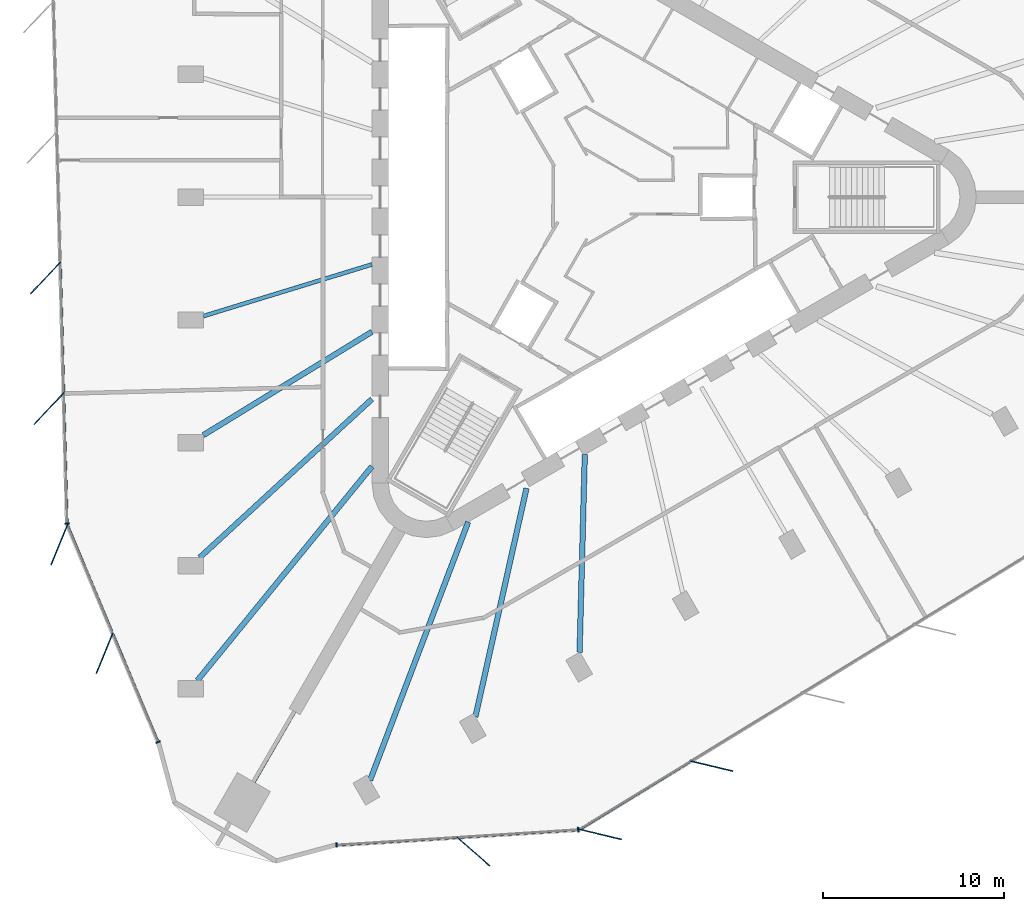
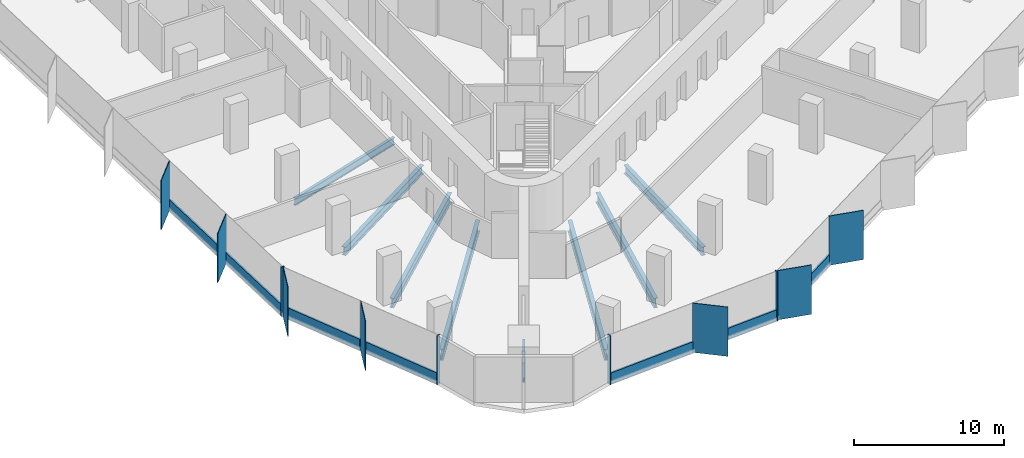
# One storey, part 2 of 14: 18 members, 8 beams, 4 elements without a shape of their own.
"""IFC4 building model written with IfcOpenShell, lengths in metres."""

from ifc_helpers import new_model, si_unit, direction, frame, origin, origin_2d, place, context, subcontext, project, spatial, rectangle, i_section, extrude, material, material_profile, profile_set, type_object, element, aggregate, save


model = new_model("IFC4")

# Units and contexts
model_context = context("Model", 3, precision=1e-05, world=origin(), true_north=direction((0.0, 1.0)))
body_context = subcontext(model_context, "Body", "Model", "MODEL_VIEW")
ifc_project = project(units=[si_unit("LENGTHUNIT", "METRE"), si_unit("AREAUNIT", "SQUARE_METRE"), si_unit("VOLUMEUNIT", "CUBIC_METRE"), si_unit("PLANEANGLEUNIT", "RADIAN"), si_unit("MASSUNIT", "GRAM", prefix="KILO")], contexts=[model_context])

# Site, building, storey
site_placement = place(None, origin())
site = spatial("IfcSite", under=ifc_project, at=site_placement, CompositionType="ELEMENT")
building_placement = place(site_placement, origin())
building = spatial("IfcBuilding", under=site, at=building_placement, Name="Tanit Gate Tower", CompositionType="ELEMENT")
storey_placement = place(building_placement, frame((0.0, 0.0, 221.199951171875)))
storey = spatial("IfcBuildingStorey", under=building, at=storey_placement, Name="L49", CompositionType="ELEMENT", Elevation=221.199951171875)

# Curtain wall, members
ifc_material_1 = material(Name="Aluminium bronze anodised and glass", Category="aluminium")
curtain_wall_type = type_object("IfcCurtainWallType", Name="Curtain wall typical mid", PredefinedType="NOTDEFINED", material=ifc_material_1)
curtain_wall_1_placement = place(storey_placement, origin())
curtain_wall_1 = element("IfcCurtainWall", 1, at=curtain_wall_1_placement, inside=storey, type_object=curtain_wall_type, Name="Curtain wall L49 W2", PredefinedType="NOTDEFINED")
ifc_material_2 = material(Name="Aluminium bronze anodised", Category="aluminium")
ifc_material_profile_1 = material_profile(ifc_material_2, rectangle(XDim=2.39990234375, YDim=0.055908203125, at=origin_2d()), Name="56x2400 bronze fin mullion")
ifc_profile_set_1 = profile_set([ifc_material_profile_1], Name="Aluminium bronze anodised")
member_type_1 = type_object("IfcMemberType", Name="FIN MULLION 56x2400 bronze", PredefinedType="MULLION", material=ifc_profile_set_1)
member_1_placement = place(storey_placement, frame((-30.085693359375, -4.4541015625, -0.300048828125), z_axis=(0.0, 0.0, 1.0), x_axis=(0.688437603131, 0.725295571884, 0.0)))
member_1 = element("IfcMember", 2, at=member_1_placement, type_object=member_type_1, Name="Fin mullion L49 W2.4", PredefinedType="MULLION", context=body_context, shape_type="SweptSolid", body=[
    extrude(rectangle(XDim=2.39990234375, YDim=0.055908203125, at=origin_2d()), origin(), (0.0, 0.0, 1.0), 4.0),
])
member_2_placement = place(storey_placement, frame((-29.898193359375, -11.651123046875, -0.300048828125), z_axis=(0.0, 0.0, 1.0), x_axis=(0.688437603131, 0.725295571884, 0.0)))
member_2 = element("IfcMember", 3, at=member_2_placement, type_object=member_type_1, Name="Fin mullion L49 W2.5", PredefinedType="MULLION", context=body_context, shape_type="SweptSolid", body=[
    extrude(rectangle(XDim=2.39990234375, YDim=0.055908203125, at=origin_2d()), origin(), (0.0, 0.0, 1.0), 4.0),
])

curtain_wall_2_placement = place(storey_placement, origin())
curtain_wall_2 = element("IfcCurtainWall", 4, at=curtain_wall_2_placement, inside=storey, type_object=curtain_wall_type, Name="Curtain wall L49 W3", PredefinedType="NOTDEFINED")
member_3_placement = place(storey_placement, frame((-29.330322265625, -19.16064453125, -0.300048828125), z_axis=(0.0, 0.0, 1.0), x_axis=(0.379912241202, 0.925022534312, 0.0)))
member_3 = element("IfcMember", 5, at=member_3_placement, type_object=member_type_1, Name="Fin mullion L49 W3.1", PredefinedType="MULLION", context=body_context, shape_type="SweptSolid", body=[
    extrude(rectangle(XDim=2.39990234375, YDim=0.055908203125, at=origin_2d()), origin(), (0.0, 0.0, 1.0), 4.0),
])
member_4_placement = place(storey_placement, frame((-26.833984375, -25.13671875, -0.300048828125), z_axis=(0.0, 0.0, 1.0), x_axis=(0.379912241202, 0.925022534312, 0.0)))
member_4 = element("IfcMember", 6, at=member_4_placement, type_object=member_type_1, Name="Fin mullion L49 W3.2", PredefinedType="MULLION", context=body_context, shape_type="SweptSolid", body=[
    extrude(rectangle(XDim=2.39990234375, YDim=0.055908203125, at=origin_2d()), origin(), (0.0, 0.0, 1.0), 4.0),
])

# Curtain wall, member
curtain_wall_3_placement = place(storey_placement, origin())
curtain_wall_3 = element("IfcCurtainWall", 7, at=curtain_wall_3_placement, inside=storey, type_object=curtain_wall_type, Name="Curtain wall L49 SE1", PredefinedType="NOTDEFINED")
member_5_placement = place(storey_placement, frame((-6.509765625, -36.059814453125, -0.300048828125), z_axis=(0.0, 0.0, 1.0), x_axis=(-0.750355268089, 0.661034773406, 0.0)))
member_5 = element("IfcMember", 8, at=member_5_placement, type_object=member_type_1, Name="Fin mullion L49 SE1.2", PredefinedType="MULLION", context=body_context, shape_type="SweptSolid", body=[
    extrude(rectangle(XDim=2.39990234375, YDim=0.055908203125, at=origin_2d()), origin(), (0.0, 0.0, 1.0), 4.0),
])

# Curtain wall, members
curtain_wall_4_placement = place(storey_placement, origin())
curtain_wall_4 = element("IfcCurtainWall", 9, at=curtain_wall_4_placement, inside=storey, type_object=curtain_wall_type, Name="Curtain wall L49 SE2", PredefinedType="NOTDEFINED")
member_6_placement = place(storey_placement, frame((0.48291015625, -35.111083984375, -0.300048828125), z_axis=(0.0, 0.0, 1.0), x_axis=(-0.97234319207, 0.23355666729, 0.0)))
member_6 = element("IfcMember", 10, at=member_6_placement, type_object=member_type_1, Name="Fin mullion L49 SE2.1", PredefinedType="MULLION", context=body_context, shape_type="SweptSolid", body=[
    extrude(rectangle(XDim=2.39990234375, YDim=0.055908203125, at=origin_2d()), origin(), (0.0, 0.0, 1.0), 4.0),
])
member_7_placement = place(storey_placement, frame((6.6220703125, -31.35009765625, -0.300048828125), z_axis=(0.0, 0.0, 1.0), x_axis=(-0.97234319207, 0.23355666729, 0.0)))
member_7 = element("IfcMember", 11, at=member_7_placement, type_object=member_type_1, Name="Fin mullion L49 SE2.2", PredefinedType="MULLION", context=body_context, shape_type="SweptSolid", body=[
    extrude(rectangle(XDim=2.39990234375, YDim=0.055908203125, at=origin_2d()), origin(), (0.0, 0.0, 1.0), 4.0),
])

# Member
ifc_material_3 = material(Name="Aluminium bronze anodised", Category="aluminium")
ifc_material_profile_2 = material_profile(ifc_material_3, rectangle(XDim=0.260009765625, YDim=0.080078125, at=origin_2d()), Name="80x260 bronze mullion")
ifc_profile_set_2 = profile_set([ifc_material_profile_2], Name="Aluminium bronze anodised")
member_type_2 = type_object("IfcMemberType", Name="Mullion 80x260 typical mid", PredefinedType="MULLION", material=ifc_profile_set_2)
member_8_placement = place(storey_placement, frame((-28.89892578125, -17.993408203125, -0.300048828125), z_axis=(0.0, 0.0, 1.0), x_axis=(0.999660314842, 0.026062519646, 0.0)))
member_8 = element("IfcMember", 12, at=member_8_placement, type_object=member_type_2, Name="Mullion L49 W2.6", PredefinedType="MULLION", context=body_context, shape_type="SweptSolid", body=[
    extrude(rectangle(XDim=0.260009765625, YDim=0.080078125, at=origin_2d()), origin(), (0.0, 0.0, 1.0), 4.0),
])

member_9_placement = place(storey_placement, frame((-23.8896484375, -30.0224609375, -0.300048828125), z_axis=(0.0, 0.0, 1.0), x_axis=(0.922728228772, 0.385451184752, 0.0)))
member_9 = element("IfcMember", 13, at=member_9_placement, type_object=member_type_2, Name="Mullion L49 W3.3", PredefinedType="MULLION", context=body_context, shape_type="SweptSolid", body=[
    extrude(rectangle(XDim=0.260009765625, YDim=0.080078125, at=origin_2d()), origin(), (0.0, 0.0, 1.0), 4.0),
])

member_10_placement = place(storey_placement, frame((-14.051513671875, -35.701904296875, -0.300048828125), z_axis=(0.0, 0.0, 1.0), x_axis=(-0.063159127489, 0.99800346924, 0.0)))
member_10 = element("IfcMember", 14, at=member_10_placement, type_object=member_type_2, Name="Mullion L49 SE1.1", PredefinedType="MULLION", context=body_context, shape_type="SweptSolid", body=[
    extrude(rectangle(XDim=0.260009765625, YDim=0.080078125, at=origin_2d()), origin(), (0.0, 0.0, 1.0), 4.0),
])

member_11_placement = place(storey_placement, frame((-0.7373046875, -34.859375, -0.300048828125), z_axis=(0.0, 0.0, 1.0), x_axis=(-0.063159127489, 0.99800346924, 0.0)))
member_11 = element("IfcMember", 15, at=member_11_placement, type_object=member_type_2, Name="Mullion L49 SE1.3", PredefinedType="MULLION", context=body_context, shape_type="SweptSolid", body=[
    extrude(rectangle(XDim=0.260009765625, YDim=0.080078125, at=origin_2d()), origin(), (0.0, 0.0, 1.0), 4.0),
])

# Beams
ifc_material_4 = material(Name="Steel S355", Category="steel")
ifc_material_profile_3 = material_profile(ifc_material_4, i_section(OverallWidth=0.300048828125, OverallDepth=0.68994140625, WebThickness=0.014404296875, FlangeThickness=0.027099609375, FilletRadius=0.027099609375, at=origin_2d()), Name="HEA 700")
ifc_profile_set_3 = profile_set([ifc_material_profile_3], Name="Steel S355")
beam_type_1 = type_object("IfcBeamType", Name="RADIAL GIRDER HEA 700 S355", PredefinedType="BEAM", material=ifc_profile_set_3)
beam_1_placement = place(storey_placement, frame((-21.38818359375, -13.11279296875, -0.64501953125), z_axis=(0.852535207667, 0.522669799863, 0.0), x_axis=(-0.522669799863, 0.852535207667, 0.0)))
element("IfcBeam", 16, at=beam_1_placement, inside=storey, type_object=beam_type_1, Name="RADIAL GIRDER", PredefinedType="BEAM", context=body_context, shape_type="SweptSolid", body=[
    extrude(i_section(OverallWidth=0.300048828125, OverallDepth=0.68994140625, WebThickness=0.014404296875, FlangeThickness=0.027099609375, FilletRadius=0.027099609375, at=origin_2d()), origin(), (0.0, 0.0, 1.0), 10.892333984375),
])
beam_2_placement = place(storey_placement, frame((-0.661865234375, -25.0791015625, -0.64501953125), z_axis=(0.026380949764, 0.99965196218, 0.0), x_axis=(-0.99965196218, 0.026380949764, 0.0)))
element("IfcBeam", 17, at=beam_2_placement, inside=storey, type_object=beam_type_1, Name="RADIAL GIRDER", PredefinedType="BEAM", context=body_context, shape_type="SweptSolid", body=[
    extrude(i_section(OverallWidth=0.300048828125, OverallDepth=0.68994140625, WebThickness=0.014404296875, FlangeThickness=0.027099609375, FilletRadius=0.027099609375, at=origin_2d()), origin(), (0.0, 0.0, 1.0), 10.892578125),
])
ifc_material_5 = material(Name="Steel S355", Category="steel")
ifc_material_profile_4 = material_profile(ifc_material_5, i_section(OverallWidth=0.300048828125, OverallDepth=0.7900390625, WebThickness=0.014892578125, FlangeThickness=0.028076171875, FilletRadius=0.030029296875, at=origin_2d()), Name="HEA 800")
ifc_profile_set_4 = profile_set([ifc_material_profile_4], Name="Steel S355")
beam_type_2 = type_object("IfcBeamType", Name="RADIAL GIRDER HEA 800 S355", PredefinedType="BEAM", material=ifc_profile_set_4)
beam_3_placement = place(storey_placement, frame((-21.598876953125, -19.86279296875, -0.695068359375), z_axis=(0.736073177965, 0.676901969772, 0.0), x_axis=(-0.676901969772, 0.736073177965, 0.0)))
element("IfcBeam", 18, at=beam_3_placement, inside=storey, type_object=beam_type_2, Name="RADIAL GIRDER", PredefinedType="BEAM", context=body_context, shape_type="SweptSolid", body=[
    extrude(i_section(OverallWidth=0.300048828125, OverallDepth=0.7900390625, WebThickness=0.014892578125, FlangeThickness=0.028076171875, FilletRadius=0.030029296875, at=origin_2d()), origin(), (0.0, 0.0, 1.0), 12.902099609375),
])
beam_4_placement = place(storey_placement, frame((-6.402587890625, -28.636474609375, -0.695068359375), z_axis=(0.218198546062, 0.975904398236, 0.0), x_axis=(-0.975904398236, 0.218198546062, 0.0)))
element("IfcBeam", 19, at=beam_4_placement, inside=storey, type_object=beam_type_2, Name="RADIAL GIRDER", PredefinedType="BEAM", context=body_context, shape_type="SweptSolid", body=[
    extrude(i_section(OverallWidth=0.300048828125, OverallDepth=0.7900390625, WebThickness=0.014892578125, FlangeThickness=0.028076171875, FilletRadius=0.030029296875, at=origin_2d()), origin(), (0.0, 0.0, 1.0), 12.90185546875),
])
ifc_material_6 = material(Name="Steel S355", Category="steel")
ifc_material_profile_5 = material_profile(ifc_material_6, i_section(OverallWidth=0.300048828125, OverallDepth=0.889892578125, WebThickness=0.01611328125, FlangeThickness=0.030029296875, FilletRadius=0.030029296875, at=origin_2d()), Name="HEA 900")
ifc_profile_set_5 = profile_set([ifc_material_profile_5], Name="Steel S355")
beam_type_3 = type_object("IfcBeamType", Name="RADIAL GIRDER HEA 900 S355", PredefinedType="BEAM", material=ifc_profile_set_5)
beam_5_placement = place(storey_placement, frame((-21.72119140625, -26.6337890625, -0.744873046875), z_axis=(0.632014947554, 0.774956196225, 0.0), x_axis=(-0.774956196225, 0.632014947554, 0.0)))
element("IfcBeam", 20, at=beam_5_placement, inside=storey, type_object=beam_type_3, Name="RADIAL GIRDER", PredefinedType="BEAM", context=body_context, shape_type="SweptSolid", body=[
    extrude(i_section(OverallWidth=0.300048828125, OverallDepth=0.889892578125, WebThickness=0.01611328125, FlangeThickness=0.030029296875, FilletRadius=0.030029296875, at=origin_2d()), origin(), (0.0, 0.0, 1.0), 15.2197265625),
])
beam_6_placement = place(storey_placement, frame((-12.205078125, -32.1279296875, -0.744873046875), z_axis=(0.355130013355, 0.934816919838, 0.0), x_axis=(-0.934816919838, 0.355130013355, 0.0)))
element("IfcBeam", 21, at=beam_6_placement, inside=storey, type_object=beam_type_3, Name="RADIAL GIRDER", PredefinedType="BEAM", context=body_context, shape_type="SweptSolid", body=[
    extrude(i_section(OverallWidth=0.300048828125, OverallDepth=0.889892578125, WebThickness=0.01611328125, FlangeThickness=0.030029296875, FilletRadius=0.030029296875, at=origin_2d()), origin(), (0.0, 0.0, 1.0), 15.219970703125),
])
ifc_material_7 = material(Name="Steel S355", Category="steel")
ifc_material_profile_6 = material_profile(ifc_material_7, i_section(OverallWidth=0.179931640625, OverallDepth=0.39990234375, WebThickness=0.008544921875, FlangeThickness=0.013427734375, FilletRadius=0.02099609375, at=origin_2d()), Name="IPE 400")
ifc_profile_set_6 = profile_set([ifc_material_profile_6], Name="Steel S355")
beam_type_4 = type_object("IfcBeamType", Name="RADIAL GIRDER IPE 400 S355", PredefinedType="BEAM", material=ifc_profile_set_6)
beam_7_placement = place(storey_placement, frame((-18.607666015625, -32.2294921875, -0.5), z_axis=(0.500003645003, 0.866023299331, 0.0), x_axis=(-0.866023299331, 0.500003645003, 0.0)))
element("IfcBeam", 22, at=beam_7_placement, inside=storey, type_object=beam_type_4, Name="RADIAL GIRDER", PredefinedType="BEAM", context=body_context, shape_type="SweptSolid", body=[
    extrude(i_section(OverallWidth=0.179931640625, OverallDepth=0.39990234375, WebThickness=0.008544921875, FlangeThickness=0.013427734375, FilletRadius=0.02099609375, at=origin_2d()), origin(), (0.0, 0.0, 1.0), 4.484375),
])
ifc_material_8 = material(Name="Steel S355", Category="steel")
ifc_material_profile_7 = material_profile(ifc_material_8, i_section(OverallWidth=0.219970703125, OverallDepth=0.60009765625, WebThickness=0.011962890625, FlangeThickness=0.01904296875, FilletRadius=0.02392578125, at=origin_2d()), Name="IPE 600")
ifc_profile_set_7 = profile_set([ifc_material_profile_7], Name="Steel S355")
beam_type_5 = type_object("IfcBeamType", Name="RADIAL GIRDER IPE 600 S355", PredefinedType="BEAM", material=ifc_profile_set_7)
beam_8_placement = place(storey_placement, frame((-21.38818359375, -6.556396484375, -0.599853515625), z_axis=(0.956085016758, 0.293089475639, 0.0), x_axis=(-0.293089475639, 0.956085016758, 0.0)))
element("IfcBeam", 23, at=beam_8_placement, inside=storey, type_object=beam_type_5, Name="RADIAL GIRDER", PredefinedType="BEAM", context=body_context, shape_type="SweptSolid", body=[
    extrude(i_section(OverallWidth=0.219970703125, OverallDepth=0.60009765625, WebThickness=0.011962890625, FlangeThickness=0.01904296875, FilletRadius=0.02392578125, at=origin_2d()), origin(), (0.0, 0.0, 1.0), 9.712646484375),
])

# Member
ifc_material_9 = material(Name="Aluminium bronze anodised", Category="aluminium")
ifc_material_profile_8 = material_profile(ifc_material_9, rectangle(XDim=0.139892578125, YDim=0.89990234375, at=origin_2d()), Name="140x900 bronze transom")
ifc_profile_set_8 = profile_set([ifc_material_profile_8], Name="Aluminium bronze anodised")
member_type_3 = type_object("IfcMemberType", Name="Transom 140x900 typical mid", PredefinedType="USERDEFINED", material=ifc_profile_set_8)
member_12_placement = place(storey_placement, frame((-29.273193359375, -3.63916015625, 0.150146484375), z_axis=(0.026061397555, -0.999660344096, 0.0), x_axis=(0.999660344096, 0.026061397555, 0.0)))
member_12 = element("IfcMember", 24, at=member_12_placement, type_object=member_type_3, Name="Transom L49 W2.4", ObjectType="TRANSOM", PredefinedType="USERDEFINED", context=body_context, shape_type="SweptSolid", body=[
    extrude(rectangle(XDim=0.139892578125, YDim=0.89990234375, at=origin_2d()), origin(), (0.0, 0.0, 1.0), 7.11962890625),
])

member_13_placement = place(storey_placement, frame((-29.08544921875, -10.836181640625, 0.150146484375), z_axis=(0.026061397555, -0.999660344096, 0.0), x_axis=(0.999660344096, 0.026061397555, 0.0)))
member_13 = element("IfcMember", 25, at=member_13_placement, type_object=member_type_3, Name="Transom L49 W2.5", ObjectType="TRANSOM", PredefinedType="USERDEFINED", context=body_context, shape_type="SweptSolid", body=[
    extrude(rectangle(XDim=0.139892578125, YDim=0.89990234375, at=origin_2d()), origin(), (0.0, 0.0, 1.0), 7.11962890625),
])

aggregate(curtain_wall_1, [member_1, member_2, member_8, member_12, member_13])

member_14_placement = place(storey_placement, frame((-28.866943359375, -18.107177734375, 0.150146484375), z_axis=(0.385449935918, -0.922728750447, 0.0), x_axis=(0.922728750447, 0.385449935918, 0.0)))
member_14 = element("IfcMember", 26, at=member_14_placement, type_object=member_type_3, Name="Transom L49 W3.1", ObjectType="TRANSOM", PredefinedType="USERDEFINED", context=body_context, shape_type="SweptSolid", body=[
    extrude(rectangle(XDim=0.139892578125, YDim=0.89990234375, at=origin_2d()), origin(), (0.0, 0.0, 1.0), 6.396728515625),
])

member_15_placement = place(storey_placement, frame((-26.37060546875, -24.083251953125, 0.150146484375), z_axis=(0.385449935918, -0.922728750447, 0.0), x_axis=(0.922728750447, 0.385449935918, 0.0)))
member_15 = element("IfcMember", 27, at=member_15_placement, type_object=member_type_3, Name="Transom L49 W3.2", ObjectType="TRANSOM", PredefinedType="USERDEFINED", context=body_context, shape_type="SweptSolid", body=[
    extrude(rectangle(XDim=0.139892578125, YDim=0.89990234375, at=origin_2d()), origin(), (0.0, 0.0, 1.0), 6.396728515625),
])

aggregate(curtain_wall_2, [member_3, member_4, member_9, member_14, member_15])

member_16_placement = place(storey_placement, frame((-14.011474609375, -35.699462890625, 0.150146484375), z_axis=(0.998003260948, 0.063162418705, 0.0), x_axis=(-0.063162418705, 0.998003260948, 0.0)))
member_16 = element("IfcMember", 28, at=member_16_placement, type_object=member_type_3, Name="Transom L49 SE1.1", ObjectType="TRANSOM", PredefinedType="USERDEFINED", context=body_context, shape_type="SweptSolid", body=[
    extrude(rectangle(XDim=0.139892578125, YDim=0.89990234375, at=origin_2d()), origin(), (0.0, 0.0, 1.0), 6.59033203125),
])

member_17_placement = place(storey_placement, frame((-7.3544921875, -35.278076171875, 0.150146484375), z_axis=(0.998003408732, 0.063160083586, 0.0), x_axis=(-0.063160083586, 0.998003408732, 0.0)))
member_17 = element("IfcMember", 29, at=member_17_placement, type_object=member_type_3, Name="Transom L49 SE1.2", ObjectType="TRANSOM", PredefinedType="USERDEFINED", context=body_context, shape_type="SweptSolid", body=[
    extrude(rectangle(XDim=0.139892578125, YDim=0.89990234375, at=origin_2d()), origin(), (0.0, 0.0, 1.0), 6.590576171875),
])

aggregate(curtain_wall_3, [member_10, member_5, member_11, member_16, member_17])

member_18_placement = place(storey_placement, frame((-0.629150390625, -34.81494140625, 0.150146484375), z_axis=(0.852699806703, 0.522401224777, 0.0), x_axis=(-0.522401224777, 0.852699806703, 0.0)))
member_18 = element("IfcMember", 30, at=member_18_placement, type_object=member_type_3, Name="Transom L49 SE2.1", ObjectType="TRANSOM", PredefinedType="USERDEFINED", context=body_context, shape_type="SweptSolid", body=[
    extrude(rectangle(XDim=0.139892578125, YDim=0.89990234375, at=origin_2d()), origin(), (0.0, 0.0, 1.0), 7.119384765625),
])

aggregate(curtain_wall_4, [member_6, member_7, member_18])

save(model, "model.ifc")
